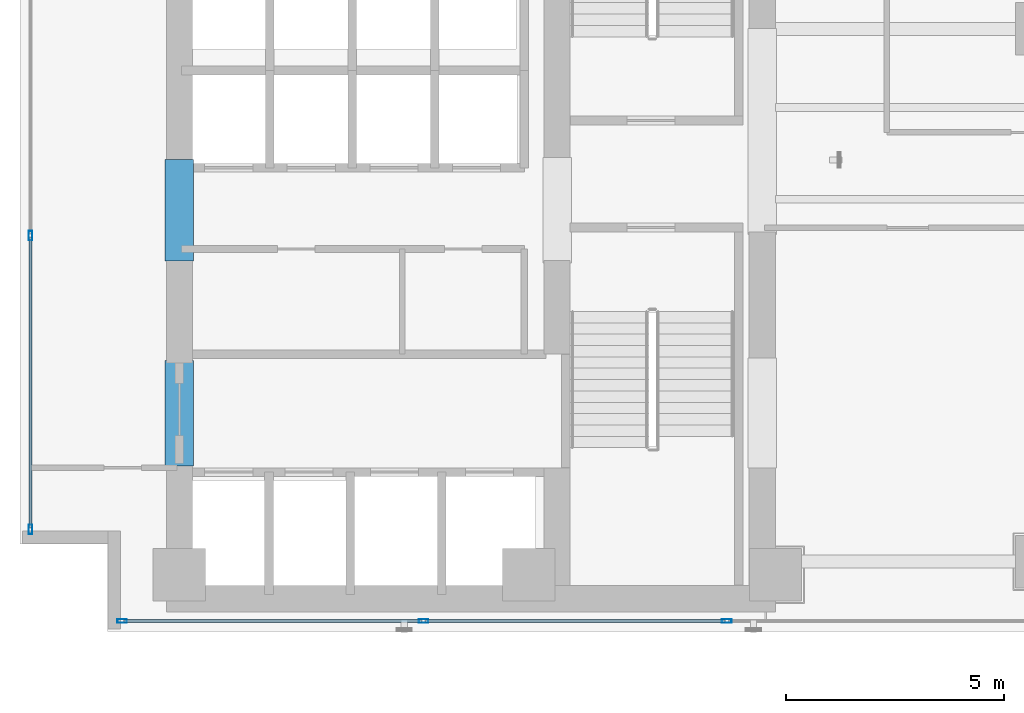
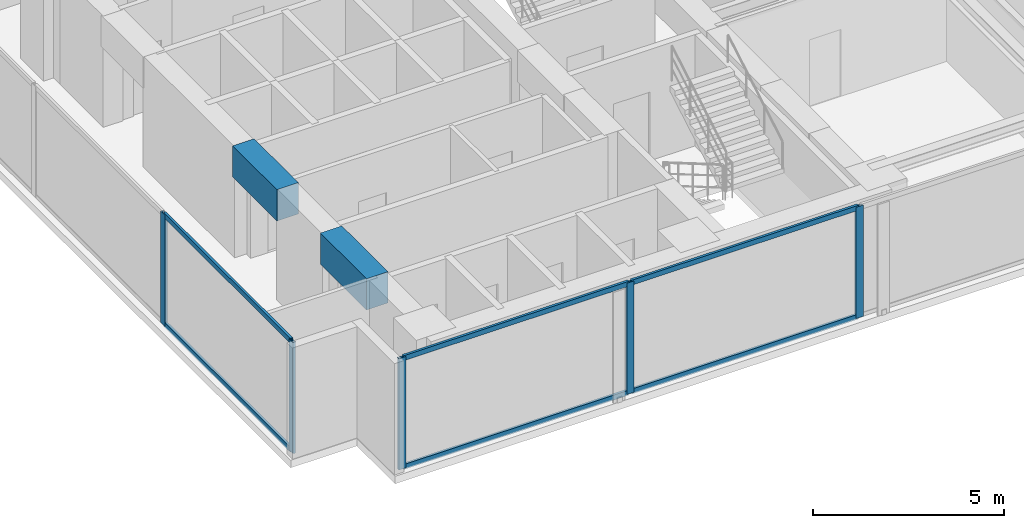
# One storey, part 2 of 26: 11 members, 2 beams, 2 elements without a shape of their own.
"""IFC4 building model written with IfcOpenShell, lengths in metres."""

from ifc_helpers import new_model, si_unit, direction, frame, origin, origin_with_axes, origin_2d, place, context, subcontext, project, spatial, rectangle, hollow_rectangle, extrude, source, transform, mapped, material, layer, layer_set, material_profile, profile_set, type_object, element, aggregate, save


model = new_model("IFC4")

# Units and contexts
model_context = context("Model", 3, precision=1e-05, world=origin(), true_north=direction((0.0, 1.0)))
body_context = subcontext(model_context, "Body", "Model", "MODEL_VIEW")
ifc_project = project(units=[si_unit("LENGTHUNIT", "METRE"), si_unit("AREAUNIT", "SQUARE_METRE"), si_unit("VOLUMEUNIT", "CUBIC_METRE"), si_unit("PLANEANGLEUNIT", "RADIAN"), si_unit("MASSUNIT", "GRAM", prefix="KILO")], contexts=[model_context])

# Site, building, storey
site_placement = place(None, origin())
site = spatial("IfcSite", under=ifc_project, at=site_placement, CompositionType="ELEMENT")
building_placement = place(site_placement, origin())
building = spatial("IfcBuilding", under=site, at=building_placement, Name="Kolvaren Waterfront Exchange", CompositionType="ELEMENT")
storey_placement = place(building_placement, frame((0.0, 0.0, 180.39990234375)))
storey = spatial("IfcBuildingStorey", under=building, at=storey_placement, Name="L46", CompositionType="ELEMENT", Elevation=180.39990234375)

# Beams
ifc_material_1 = material(Name="Concrete C60/75", Category="concrete")
ifc_material_profile_1 = material_profile(ifc_material_1, rectangle(XDim=0.64990234375, YDim=1.0, at=origin_2d()), Name="RC-CB-1000x650")
ifc_profile_set_1 = profile_set([ifc_material_profile_1], Name="Concrete C60/75")
beam_type = type_object("IfcBeamType", Name="STR-CB-1000", PredefinedType="SPANDREL", material=ifc_profile_set_1)
beam_1_placement = place(storey_placement, frame((7.449951171875, 7.389892578125, 3.06005859375), z_axis=(0.0, 1.0, 0.0), x_axis=(-1.0, 0.0, 0.0)))
element("IfcBeam", 1, at=beam_1_placement, inside=storey, type_object=beam_type, Name="L46 core coupling beam 3", PredefinedType="SPANDREL", context=body_context, shape_type="SweptSolid", body=[
    extrude(rectangle(XDim=0.64990234375, YDim=1.0, at=origin_2d()), origin(), (0.0, 0.0, 1.0), 2.420166015625),
])
beam_2_placement = place(storey_placement, frame((7.449951171875, 12.090087890625, 3.06005859375), z_axis=(0.0, 1.0, 0.0), x_axis=(-1.0, 0.0, 0.0)))
element("IfcBeam", 2, at=beam_2_placement, inside=storey, type_object=beam_type, Name="L46 core coupling beam 4", PredefinedType="SPANDREL", context=body_context, shape_type="SweptSolid", body=[
    extrude(rectangle(XDim=0.64990234375, YDim=1.0, at=origin_2d()), origin(), (0.0, 0.0, 1.0), 2.31982421875),
])

# Curtain wall, members
ifc_material_2 = material(Name="Anodised bronze aluminium 6063-T6", Category="aluminium")
ifc_layer_1 = layer(ifc_material_2, 0.219970703125, Name="Anodised bronze aluminium 6063-T6")
ifc_layer_set_1 = layer_set([ifc_layer_1], Name="Anodised bronze aluminium 6063-T6")
curtain_wall_type_1 = type_object("IfcCurtainWallType", Name="ARC-CW-SYS1", PredefinedType="USERDEFINED", material=ifc_layer_set_1)
curtain_wall_1_placement = place(storey_placement, origin())
curtain_wall_1 = element("IfcCurtainWall", 3, at=curtain_wall_1_placement, inside=storey, type_object=curtain_wall_type_1, Name="L46 stick curtain wall CW1 (CW-L46-S)", ObjectType="STICK CURTAIN WALL", PredefinedType="USERDEFINED")
ifc_material_3 = material(Name="Anodised aluminium 6063-T6", Category="aluminium")
ifc_material_profile_2 = material_profile(ifc_material_3, hollow_rectangle(XDim=0.080078125, YDim=0.219970703125, WallThickness=0.0048828125, at=origin_2d()), Name="ALU-MUL-220x80x5")
ifc_profile_set_2 = profile_set([ifc_material_profile_2], Name="Anodised aluminium 6063-T6")
member_type_1 = type_object("IfcMemberType", Name="ARC-CWM-220", PredefinedType="MULLION", material=ifc_profile_set_2)
shared_shape_1 = source(origin_with_axes(), body_context, "Body", "SweptSolid", [
    extrude(hollow_rectangle(XDim=0.080078125, YDim=0.219970703125, WallThickness=0.0048828125, at=origin_2d()), origin(), (0.0, 0.0, 1.0), 3.56005859375),
])
member_1_placement = place(storey_placement, frame((6.139892578125, 3.840087890625, 0.0), z_axis=(0.0, 0.0, 1.0), x_axis=(0.0, 1.0, 0.0)))
member_1 = element("IfcMember", 4, at=member_1_placement, type_object=member_type_1, Name="CW1 mullion 1", PredefinedType="MULLION", context=body_context, shape_type="MappedRepresentation", body=[
    mapped(shared_shape_1, transform((0.0, 0.0, 0.0), x_axis=(1.0, 0.0, 0.0), y_axis=(0.0, 1.0, 0.0), z_axis=(0.0, 0.0, 1.0), scale=1.0)),
])
member_2_placement = place(storey_placement, frame((13.04296875, 3.840087890625, 0.0), z_axis=(0.0, 0.0, 1.0), x_axis=(0.0, 1.0, 0.0)))
member_2 = element("IfcMember", 5, at=member_2_placement, type_object=member_type_1, Name="CW1 mullion 2", PredefinedType="MULLION", context=body_context, shape_type="MappedRepresentation", body=[
    mapped(shared_shape_1, transform((0.0, 0.0, 0.0), x_axis=(1.0, 0.0, 0.0), y_axis=(0.0, 1.0, 0.0), z_axis=(0.0, 0.0, 1.0), scale=1.0)),
])
member_3_placement = place(storey_placement, frame((19.985595703125, 3.840087890625, 0.0), z_axis=(0.0, 0.0, 1.0), x_axis=(0.0, 1.0, 0.0)))
member_3 = element("IfcMember", 6, at=member_3_placement, type_object=member_type_1, Name="CW1 mullion 3", PredefinedType="MULLION", context=body_context, shape_type="MappedRepresentation", body=[
    mapped(shared_shape_1, transform((0.0, 0.0, 0.0), x_axis=(1.0, 0.0, 0.0), y_axis=(0.0, 1.0, 0.0), z_axis=(0.0, 0.0, 1.0), scale=1.0)),
])

ifc_layer_2 = layer(ifc_material_3, 0.219970703125, Name="Anodised aluminium 6063-T6")
ifc_layer_set_2 = layer_set([ifc_layer_2], Name="Anodised aluminium 6063-T6")
curtain_wall_type_2 = type_object("IfcCurtainWallType", Name="ARC-CW-SYS2", PredefinedType="USERDEFINED", material=ifc_layer_set_2)
curtain_wall_2_placement = place(storey_placement, origin())
curtain_wall_2 = element("IfcCurtainWall", 7, at=curtain_wall_2_placement, inside=storey, type_object=curtain_wall_type_2, Name="L46 stick curtain wall CW2 (CW-L46-W)", ObjectType="STICK CURTAIN WALL", PredefinedType="USERDEFINED")
member_4_placement = place(storey_placement, frame((4.0400390625, 5.93994140625, 0.0), z_axis=(0.0, 0.0, 1.0), x_axis=(-1.0, 0.0, 0.0)))
member_4 = element("IfcMember", 8, at=member_4_placement, type_object=member_type_1, Name="CW2 mullion 1", PredefinedType="MULLION", context=body_context, shape_type="MappedRepresentation", body=[
    mapped(shared_shape_1, transform((0.0, 0.0, 0.0), x_axis=(1.0, 0.0, 0.0), y_axis=(0.0, 1.0, 0.0), z_axis=(0.0, 0.0, 1.0), scale=1.0)),
])
member_5_placement = place(storey_placement, frame((4.0400390625, 12.666748046875, 0.0), z_axis=(0.0, 0.0, 1.0), x_axis=(-1.0, 0.0, 0.0)))
member_5 = element("IfcMember", 9, at=member_5_placement, type_object=member_type_1, Name="CW2 mullion 2", PredefinedType="MULLION", context=body_context, shape_type="MappedRepresentation", body=[
    mapped(shared_shape_1, transform((0.0, 0.0, 0.0), x_axis=(1.0, 0.0, 0.0), y_axis=(0.0, 1.0, 0.0), z_axis=(0.0, 0.0, 1.0), scale=1.0)),
])

# Member
ifc_material_profile_3 = material_profile(ifc_material_3, hollow_rectangle(XDim=0.074951171875, YDim=0.159912109375, WallThickness=0.00439453125, at=origin_2d()), Name="ALU-TRN-160x75x4.5")
ifc_profile_set_3 = profile_set([ifc_material_profile_3], Name="Anodised aluminium 6063-T6")
member_type_2 = type_object("IfcMemberType", Name="ARC-CWT-160", PredefinedType="USERDEFINED", material=ifc_profile_set_3)
shared_shape_2 = source(origin_with_axes(), body_context, "Body", "SweptSolid", [
    extrude(hollow_rectangle(XDim=0.074951171875, YDim=0.159912109375, WallThickness=0.00439453125, at=origin_2d()), origin(), (0.0, 0.0, 1.0), 6.822998046875),
])
member_6_placement = place(storey_placement, frame((6.179931640625, 3.840087890625, 0.03759765625), z_axis=(1.0, 0.0, 0.0), x_axis=(0.0, 1.0, 0.0)))
member_6 = element("IfcMember", 10, at=member_6_placement, type_object=member_type_2, Name="CW1 transom 1.1", ObjectType="TRANSOM", PredefinedType="USERDEFINED", context=body_context, shape_type="MappedRepresentation", body=[
    mapped(shared_shape_2, transform((0.0, 0.0, 0.0), x_axis=(1.0, 0.0, 0.0), y_axis=(0.0, 1.0, 0.0), z_axis=(0.0, 0.0, 1.0), scale=1.0)),
])

member_7_placement = place(storey_placement, frame((6.179931640625, 3.840087890625, 3.522705078125), z_axis=(1.0, 0.0, 0.0), x_axis=(0.0, 1.0, 0.0)))
member_7 = element("IfcMember", 11, at=member_7_placement, type_object=member_type_2, Name="CW1 transom 1.2", ObjectType="TRANSOM", PredefinedType="USERDEFINED", context=body_context, shape_type="MappedRepresentation", body=[
    mapped(shared_shape_2, transform((0.0, 0.0, 0.0), x_axis=(1.0, 0.0, 0.0), y_axis=(0.0, 1.0, 0.0), z_axis=(0.0, 0.0, 1.0), scale=1.0)),
])

shared_shape_3 = source(origin_with_axes(), body_context, "Body", "SweptSolid", [
    extrude(hollow_rectangle(XDim=0.074951171875, YDim=0.159912109375, WallThickness=0.00439453125, at=origin_2d()), origin(), (0.0, 0.0, 1.0), 6.863037109375),
])
member_8_placement = place(storey_placement, frame((13.082763671875, 3.840087890625, 0.03759765625), z_axis=(1.0, 0.0, 0.0), x_axis=(0.0, 1.0, 0.0)))
member_8 = element("IfcMember", 12, at=member_8_placement, type_object=member_type_2, Name="CW1 transom 2.1", ObjectType="TRANSOM", PredefinedType="USERDEFINED", context=body_context, shape_type="MappedRepresentation", body=[
    mapped(shared_shape_3, transform((0.0, 0.0, 0.0), x_axis=(1.0, 0.0, 0.0), y_axis=(0.0, 1.0, 0.0), z_axis=(0.0, 0.0, 1.0), scale=1.0)),
])

member_9_placement = place(storey_placement, frame((13.082763671875, 3.840087890625, 3.522705078125), z_axis=(1.0, 0.0, 0.0), x_axis=(0.0, 1.0, 0.0)))
member_9 = element("IfcMember", 13, at=member_9_placement, type_object=member_type_2, Name="CW1 transom 2.2", ObjectType="TRANSOM", PredefinedType="USERDEFINED", context=body_context, shape_type="MappedRepresentation", body=[
    mapped(shared_shape_3, transform((0.0, 0.0, 0.0), x_axis=(1.0, 0.0, 0.0), y_axis=(0.0, 1.0, 0.0), z_axis=(0.0, 0.0, 1.0), scale=1.0)),
])

aggregate(curtain_wall_1, [member_1, member_2, member_3, member_6, member_7, member_8, member_9])

shared_shape_4 = source(origin_with_axes(), body_context, "Body", "SweptSolid", [
    extrude(hollow_rectangle(XDim=0.074951171875, YDim=0.159912109375, WallThickness=0.00439453125, at=origin_2d()), origin(), (0.0, 0.0, 1.0), 6.646728515625),
])
member_10_placement = place(storey_placement, frame((4.0400390625, 5.97998046875, 0.03759765625), z_axis=(0.0, 1.0, 0.0), x_axis=(-1.0, 0.0, 0.0)))
member_10 = element("IfcMember", 14, at=member_10_placement, type_object=member_type_2, Name="CW2 transom 1.1", ObjectType="TRANSOM", PredefinedType="USERDEFINED", context=body_context, shape_type="MappedRepresentation", body=[
    mapped(shared_shape_4, transform((0.0, 0.0, 0.0), x_axis=(1.0, 0.0, 0.0), y_axis=(0.0, 1.0, 0.0), z_axis=(0.0, 0.0, 1.0), scale=1.0)),
])

member_11_placement = place(storey_placement, frame((4.0400390625, 5.97998046875, 3.522705078125), z_axis=(0.0, 1.0, 0.0), x_axis=(-1.0, 0.0, 0.0)))
member_11 = element("IfcMember", 15, at=member_11_placement, type_object=member_type_2, Name="CW2 transom 1.2", ObjectType="TRANSOM", PredefinedType="USERDEFINED", context=body_context, shape_type="MappedRepresentation", body=[
    mapped(shared_shape_4, transform((0.0, 0.0, 0.0), x_axis=(1.0, 0.0, 0.0), y_axis=(0.0, 1.0, 0.0), z_axis=(0.0, 0.0, 1.0), scale=1.0)),
])

aggregate(curtain_wall_2, [member_4, member_5, member_10, member_11])

save(model, "model.ifc")
